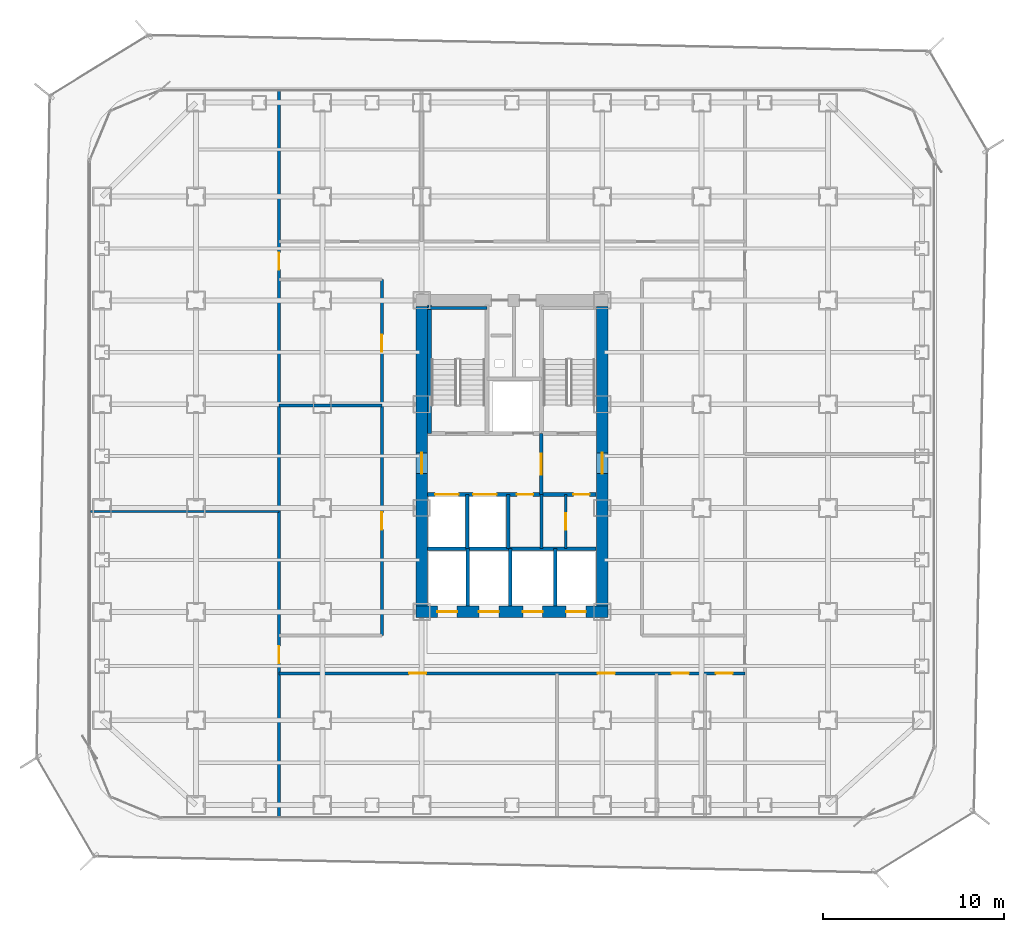
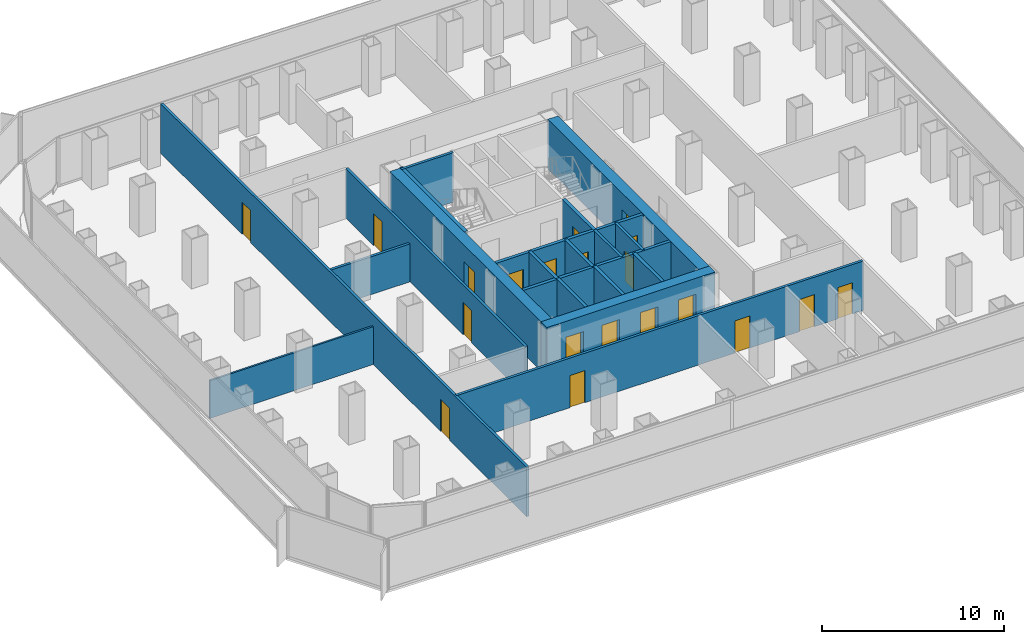
# One storey, part 17 of 21: 20 doors, 20 walls, 20 openings.
"""IFC4 building model written with IfcOpenShell, lengths in metres."""

from ifc_helpers import new_model, si_unit, direction, frame, frame_2d, origin, place, context, subcontext, project, spatial, rectangle, extrude, material, layer, layer_set, type_object, element, fill, save


model = new_model("IFC4")

# Units and contexts
model_context = context("Model", 3, precision=1e-05, world=origin(), true_north=direction((0.0, 1.0)))
body_context = subcontext(model_context, "Body", "Model", "MODEL_VIEW")
ifc_project = project(units=[si_unit("LENGTHUNIT", "METRE"), si_unit("AREAUNIT", "SQUARE_METRE"), si_unit("VOLUMEUNIT", "CUBIC_METRE"), si_unit("PLANEANGLEUNIT", "RADIAN"), si_unit("MASSUNIT", "GRAM", prefix="KILO")], contexts=[model_context])

# Site, building, storey
site_placement = place(None, origin())
site = spatial("IfcSite", under=ifc_project, at=site_placement, CompositionType="ELEMENT")
building_placement = place(site_placement, origin())
building = spatial("IfcBuilding", under=site, at=building_placement, Name="Kolveth Station Tower", CompositionType="ELEMENT")
storey_placement = place(building_placement, frame((0.0, 0.0, 44.10009765625)))
storey = spatial("IfcBuildingStorey", under=building, at=storey_placement, Name="L11", CompositionType="ELEMENT", Elevation=44.10009765625)

# Wall, openings, doors
ifc_material_1 = material(Name="Concrete C60/75", Category="concrete")
ifc_layer_1 = layer(ifc_material_1, 0.64990234375)
ifc_layer_set_1 = layer_set([ifc_layer_1], Name="Concrete C60/75")
wall_type_1 = type_object("IfcWallType", Name="Wall_CW-650", PredefinedType="SHEAR", material=ifc_layer_set_1)
wall_1_placement = place(storey_placement, frame((18.175048828125, 11.5, 0.0), z_axis=(0.0, 0.0, 1.0), x_axis=(1.0, 0.0, 0.0)))
wall_1 = element("IfcWall", 1, at=wall_1_placement, inside=storey, type_object=wall_type_1, Name="L11 Core RC Shear Wall S", PredefinedType="SHEAR", context=body_context, shape_type="SweptSolid", body=[
    extrude(rectangle(XDim=10.64990234375, YDim=0.64990234375, at=frame_2d((5.324951171875, 0.0))), origin(), (0.0, 0.0, 1.0), 3.31982421875),
])
opening_1_placement = place(wall_1_placement, frame((1.195068359375, 0.0, 0.0)))
opening_1 = element("IfcOpeningElement", 2, at=opening_1_placement, cuts=wall_1, Name="Opening LD1", PredefinedType="OPENING", context=body_context, shape_type="SweptSolid", body=[
    extrude(rectangle(XDim=1.10009765625, YDim=2.25, at=frame_2d((0.550048828125, 1.125))), frame((0.0, 0.3349609375, 0.0), z_axis=(0.0, -1.0, 0.0), x_axis=(1.0, 0.0, 0.0)), (0.0, 0.0, 1.0), 0.669921875),
])
opening_2_placement = place(wall_1_placement, frame((3.4951171875, 0.0, 0.0)))
opening_2 = element("IfcOpeningElement", 3, at=opening_2_placement, cuts=wall_1, Name="Opening LD1", PredefinedType="OPENING", context=body_context, shape_type="SweptSolid", body=[
    extrude(rectangle(XDim=1.10009765625, YDim=2.25, at=frame_2d((0.550048828125, 1.125))), frame((0.0, 0.3349609375, 0.0), z_axis=(0.0, -1.0, 0.0), x_axis=(1.0, 0.0, 0.0)), (0.0, 0.0, 1.0), 0.669921875),
])
opening_3_placement = place(wall_1_placement, frame((5.925048828125, 0.0, 0.0)))
opening_3 = element("IfcOpeningElement", 4, at=opening_3_placement, cuts=wall_1, Name="Opening LD1", PredefinedType="OPENING", context=body_context, shape_type="SweptSolid", body=[
    extrude(rectangle(XDim=1.10009765625, YDim=2.25, at=frame_2d((0.550048828125, 1.125))), frame((0.0, 0.3349609375, 0.0), z_axis=(0.0, -1.0, 0.0), x_axis=(1.0, 0.0, 0.0)), (0.0, 0.0, 1.0), 0.669921875),
])
opening_4_placement = place(wall_1_placement, frame((8.324951171875, 0.0, 0.0)))
opening_4 = element("IfcOpeningElement", 5, at=opening_4_placement, cuts=wall_1, Name="Opening LD1", PredefinedType="OPENING", context=body_context, shape_type="SweptSolid", body=[
    extrude(rectangle(XDim=1.10009765625, YDim=2.25, at=frame_2d((0.550048828125, 1.125))), frame((0.0, 0.3349609375, 0.0), z_axis=(0.0, -1.0, 0.0), x_axis=(1.0, 0.0, 0.0)), (0.0, 0.0, 1.0), 0.669921875),
])
ifc_material_2 = material(Name="Brushed stainless steel sliding landing doors", Category="steel")
door_type_1 = type_object("IfcDoorType", Name="Door_LD1", OperationType="NOTDEFINED", PredefinedType="DOOR", material=ifc_material_2)
door_1_placement = place(opening_1_placement, frame((1.10009765625, 0.0, 0.0), z_axis=(0.0, 0.0, 1.0), x_axis=(-1.0, 0.0, 0.0)))
door_1 = element("IfcDoor", 6, at=door_1_placement, inside=storey, type_object=door_type_1, Name="L11 Lift PL1 Landing Door", OperationType="DOUBLE_DOOR_SLIDING", OverallHeight=2.25, OverallWidth=1.10009765625, PredefinedType="DOOR", context=body_context, shape_type="SweptSolid", body=[
    extrude(rectangle(XDim=1.10009765625, YDim=2.25, at=frame_2d((0.550048828125, 1.125))), frame((0.0, 0.02490234375, 0.0), z_axis=(0.0, -1.0, 0.0), x_axis=(1.0, 0.0, 0.0)), (0.0, 0.0, 1.0), 0.050048828125),
])
fill(opening_1, door_1)
door_2_placement = place(opening_2_placement, frame((1.10009765625, 0.0, 0.0), z_axis=(0.0, 0.0, 1.0), x_axis=(-1.0, 0.0, 0.0)))
door_2 = element("IfcDoor", 7, at=door_2_placement, inside=storey, type_object=door_type_1, Name="L11 Lift PL2 Landing Door", OperationType="DOUBLE_DOOR_SLIDING", OverallHeight=2.25, OverallWidth=1.10009765625, PredefinedType="DOOR", context=body_context, shape_type="SweptSolid", body=[
    extrude(rectangle(XDim=1.10009765625, YDim=2.25, at=frame_2d((0.550048828125, 1.125))), frame((0.0, 0.02490234375, 0.0), z_axis=(0.0, -1.0, 0.0), x_axis=(1.0, 0.0, 0.0)), (0.0, 0.0, 1.0), 0.050048828125),
])
fill(opening_2, door_2)
door_3_placement = place(opening_3_placement, frame((1.10009765625, 0.0, 0.0), z_axis=(0.0, 0.0, 1.0), x_axis=(-1.0, 0.0, 0.0)))
door_3 = element("IfcDoor", 8, at=door_3_placement, inside=storey, type_object=door_type_1, Name="L11 Lift PM1 Landing Door", OperationType="DOUBLE_DOOR_SLIDING", OverallHeight=2.25, OverallWidth=1.10009765625, PredefinedType="DOOR", context=body_context, shape_type="SweptSolid", body=[
    extrude(rectangle(XDim=1.10009765625, YDim=2.25, at=frame_2d((0.550048828125, 1.125))), frame((0.0, 0.02490234375, 0.0), z_axis=(0.0, -1.0, 0.0), x_axis=(1.0, 0.0, 0.0)), (0.0, 0.0, 1.0), 0.050048828125),
])
fill(opening_3, door_3)
door_4_placement = place(opening_4_placement, frame((1.10009765625, 0.0, 0.0), z_axis=(0.0, 0.0, 1.0), x_axis=(-1.0, 0.0, 0.0)))
door_4 = element("IfcDoor", 9, at=door_4_placement, inside=storey, type_object=door_type_1, Name="L11 Lift PH1 Landing Door", OperationType="DOUBLE_DOOR_SLIDING", OverallHeight=2.25, OverallWidth=1.10009765625, PredefinedType="DOOR", context=body_context, shape_type="SweptSolid", body=[
    extrude(rectangle(XDim=1.10009765625, YDim=2.25, at=frame_2d((0.550048828125, 1.125))), frame((0.0, 0.02490234375, 0.0), z_axis=(0.0, -1.0, 0.0), x_axis=(1.0, 0.0, 0.0)), (0.0, 0.0, 1.0), 0.050048828125),
])
fill(opening_4, door_4)

# Wall, opening, door
wall_2_placement = place(storey_placement, frame((18.5, 11.824951171875, 0.0), z_axis=(0.0, 0.0, 1.0), x_axis=(0.0, 1.0, 0.0)))
wall_2 = element("IfcWall", 10, at=wall_2_placement, inside=storey, type_object=wall_type_1, Name="L11 Core RC Shear Wall W", PredefinedType="SHEAR", context=body_context, shape_type="SweptSolid", body=[
    extrude(rectangle(XDim=16.60009765625, YDim=0.64990234375, at=frame_2d((8.300048828125, 0.0))), origin(), (0.0, 0.0, 1.0), 3.31982421875),
])
opening_5_placement = place(wall_2_placement, frame((7.324951171875, 0.0, 0.0)))
opening_5 = element("IfcOpeningElement", 11, at=opening_5_placement, cuts=wall_2, Name="Opening FD1", PredefinedType="OPENING", context=body_context, shape_type="SweptSolid", body=[
    extrude(rectangle(XDim=1.14990234375, YDim=2.199951171875, at=frame_2d((0.574951171875, 1.10009765625))), frame((0.0, 0.3349609375, 0.0), z_axis=(0.0, -1.0, 0.0), x_axis=(1.0, 0.0, 0.0)), (0.0, 0.0, 1.0), 0.669921875),
])
ifc_material_3 = material(Name="Fire-rated Steel S355 leaf and frame", Category="steel")
door_type_2 = type_object("IfcDoorType", Name="Door_FD1", OperationType="NOTDEFINED", PredefinedType="DOOR", material=ifc_material_3)
door_5_placement = place(opening_5_placement, frame((1.14990234375, 0.0, 0.0), z_axis=(0.0, 0.0, 1.0), x_axis=(-1.0, 0.0, 0.0)))
door_5 = element("IfcDoor", 12, at=door_5_placement, inside=storey, type_object=door_type_2, Name="L11 West Corridor to Firefighting Lobby Door", OperationType="SINGLE_SWING_LEFT", OverallHeight=2.199951171875, OverallWidth=1.14990234375, PredefinedType="DOOR", context=body_context, shape_type="SweptSolid", body=[
    extrude(rectangle(XDim=1.14990234375, YDim=2.199951171875, at=frame_2d((0.574951171875, 1.10009765625))), frame((0.0, 0.02490234375, 0.0), z_axis=(0.0, -1.0, 0.0), x_axis=(1.0, 0.0, 0.0)), (0.0, 0.0, 1.0), 0.050048828125),
])
fill(opening_5, door_5)

wall_3_placement = place(storey_placement, frame((28.5, 11.824951171875, 0.0), z_axis=(0.0, 0.0, 1.0), x_axis=(0.0, 1.0, 0.0)))
wall_3 = element("IfcWall", 13, at=wall_3_placement, inside=storey, type_object=wall_type_1, Name="L11 Core RC Shear Wall E", PredefinedType="SHEAR", context=body_context, shape_type="SweptSolid", body=[
    extrude(rectangle(XDim=16.60009765625, YDim=0.64990234375, at=frame_2d((8.300048828125, 0.0))), origin(), (0.0, 0.0, 1.0), 3.31982421875),
])
opening_6_placement = place(wall_3_placement, frame((7.324951171875, 0.0, 0.0)))
opening_6 = element("IfcOpeningElement", 14, at=opening_6_placement, cuts=wall_3, Name="Opening FD1", PredefinedType="OPENING", context=body_context, shape_type="SweptSolid", body=[
    extrude(rectangle(XDim=1.14990234375, YDim=2.199951171875, at=frame_2d((0.574951171875, 1.10009765625))), frame((0.0, 0.3349609375, 0.0), z_axis=(0.0, -1.0, 0.0), x_axis=(1.0, 0.0, 0.0)), (0.0, 0.0, 1.0), 0.669921875),
])
door_6_placement = place(opening_6_placement, origin())
door_6 = element("IfcDoor", 15, at=door_6_placement, inside=storey, type_object=door_type_2, Name="L11 East Corridor to Stair Lobby Door", OperationType="SINGLE_SWING_RIGHT", OverallHeight=2.199951171875, OverallWidth=1.14990234375, PredefinedType="DOOR", context=body_context, shape_type="SweptSolid", body=[
    extrude(rectangle(XDim=1.14990234375, YDim=2.199951171875, at=frame_2d((0.574951171875, 1.10009765625))), frame((0.0, 0.02490234375, 0.0), z_axis=(0.0, -1.0, 0.0), x_axis=(1.0, 0.0, 0.0)), (0.0, 0.0, 1.0), 0.050048828125),
])
fill(opening_6, door_6)

# Walls
ifc_material_4 = material(Name="Framed gypsum partition")
ifc_layer_2 = layer(ifc_material_4, 0.114990234375)
ifc_layer_set_2 = layer_set([ifc_layer_2], Name="Framed gypsum partition")
wall_type_2 = type_object("IfcWallType", Name="Wall_IW-115", PredefinedType="PARTITIONING", material=ifc_layer_set_2)
wall_4_placement = place(storey_placement, frame((0.159912109375, 17.050048828125, 0.0), z_axis=(0.0, 0.0, 1.0), x_axis=(1.0, 0.0, 0.0)))
element("IfcWall", 16, at=wall_4_placement, inside=storey, type_object=wall_type_2, Name="L11 Partition Wall WL-L11-OWM", PredefinedType="PARTITIONING", context=body_context, shape_type="SweptSolid", body=[
    extrude(rectangle(XDim=10.440185546875, YDim=0.114990234375, at=frame_2d((5.22021484375, 0.0))), origin(), (0.0, 0.0, 1.0), 2.538818359375),
])
ifc_material_5 = material(Name="Acoustic double-stud gypsum partition")
ifc_layer_3 = layer(ifc_material_5, 0.1650390625)
ifc_layer_set_3 = layer_set([ifc_layer_3], Name="Acoustic double-stud gypsum partition")
wall_type_3 = type_object("IfcWallType", Name="Wall_IW-165", PredefinedType="PARTITIONING", material=ifc_layer_set_3)
wall_5_placement = place(storey_placement, frame((18.8349609375, 28.3349609375, 0.0), z_axis=(0.0, 0.0, 1.0), x_axis=(1.0, 0.0, 0.0)))
element("IfcWall", 17, at=wall_5_placement, inside=storey, type_object=wall_type_3, Name="L11 Stair Shaft Wall WL-L11-ST1-N", PredefinedType="PARTITIONING", context=body_context, shape_type="SweptSolid", body=[
    extrude(rectangle(XDim=3.275146484375, YDim=0.1650390625, at=frame_2d((1.6376953125, 0.0))), origin(), (0.0, 0.0, 1.0), 3.31982421875),
])
wall_6_placement = place(storey_placement, frame((25.1298828125, 15.0, 0.0), z_axis=(0.0, 0.0, 1.0), x_axis=(0.0, 1.0, 0.0)))
element("IfcWall", 18, at=wall_6_placement, inside=storey, type_object=wall_type_3, Name="L11 Partition Wall WL-L11-CB-V3A", PredefinedType="PARTITIONING", context=body_context, shape_type="SweptSolid", body=[
    extrude(rectangle(XDim=3.0, YDim=0.1650390625, at=frame_2d((1.5, 0.0))), origin(), (0.0, 0.0, 1.0), 3.31982421875),
])

# Wall, opening, door
wall_7_placement = place(storey_placement, frame((26.47998046875, 15.0, 0.0), z_axis=(0.0, 0.0, 1.0), x_axis=(0.0, 1.0, 0.0)))
wall_7 = element("IfcWall", 19, at=wall_7_placement, inside=storey, type_object=wall_type_3, Name="L11 Partition Wall WL-L11-CB-V3B", PredefinedType="PARTITIONING", context=body_context, shape_type="SweptSolid", body=[
    extrude(rectangle(XDim=3.0, YDim=0.1650390625, at=frame_2d((1.5, 0.0))), origin(), (0.0, 0.0, 1.0), 3.31982421875),
])
opening_7_placement = place(wall_7_placement, frame((1.050048828125, 0.0, 0.0)))
opening_7 = element("IfcOpeningElement", 20, at=opening_7_placement, cuts=wall_7, Name="Opening RD1", PredefinedType="OPENING", context=body_context, shape_type="SweptSolid", body=[
    extrude(rectangle(XDim=0.89990234375, YDim=2.050048828125, at=frame_2d((0.449951171875, 1.02490234375))), frame((0.0, 0.092529296875, 0.0), z_axis=(0.0, -1.0, 0.0), x_axis=(1.0, 0.0, 0.0)), (0.0, 0.0, 1.0), 0.18505859375),
])
ifc_material_6 = material(Name="Fire-rated Steel S355 riser access leaf", Category="steel")
door_type_3 = type_object("IfcDoorType", Name="Door_RD1", OperationType="NOTDEFINED", PredefinedType="DOOR", material=ifc_material_6)
door_7_placement = place(opening_7_placement, origin())
door_7 = element("IfcDoor", 21, at=door_7_placement, inside=storey, type_object=door_type_3, Name="L11 Core Meter Closet Door", OperationType="SINGLE_SWING_LEFT", OverallHeight=2.050048828125, OverallWidth=0.89990234375, PredefinedType="DOOR", context=body_context, shape_type="SweptSolid", body=[
    extrude(rectangle(XDim=0.89990234375, YDim=2.050048828125, at=frame_2d((0.449951171875, 1.02490234375))), frame((0.0, 0.02490234375, 0.0), z_axis=(0.0, -1.0, 0.0), x_axis=(1.0, 0.0, 0.0)), (0.0, 0.0, 1.0), 0.050048828125),
])
fill(opening_7, door_7)

# Wall, openings, doors
wall_8_placement = place(storey_placement, frame((10.60009765625, 8.10009765625, 0.0), z_axis=(0.0, 0.0, 1.0), x_axis=(1.0, 0.0, 0.0)))
wall_8 = element("IfcWall", 22, at=wall_8_placement, inside=storey, type_object=wall_type_3, Name="L11 Partition Wall WL-L11-OS", PredefinedType="PARTITIONING", context=body_context, shape_type="SweptSolid", body=[
    extrude(rectangle(XDim=25.7998046875, YDim=0.1650390625, at=frame_2d((12.89990234375, 0.0))), origin(), (0.0, 0.0, 1.0), 3.31982421875),
])
opening_8_placement = place(wall_8_placement, frame((7.199951171875, 0.0, 0.0)))
opening_8 = element("IfcOpeningElement", 23, at=opening_8_placement, cuts=wall_8, Name="Opening ID1", PredefinedType="OPENING", context=body_context, shape_type="SweptSolid", body=[
    extrude(rectangle(XDim=0.949951171875, YDim=2.14990234375, at=frame_2d((0.47509765625, 1.074951171875))), frame((0.0, 0.092529296875, 0.0), z_axis=(0.0, -1.0, 0.0), x_axis=(1.0, 0.0, 0.0)), (0.0, 0.0, 1.0), 0.18505859375),
])
opening_9_placement = place(wall_8_placement, frame((17.64990234375, 0.0, 0.0)))
opening_9 = element("IfcOpeningElement", 24, at=opening_9_placement, cuts=wall_8, Name="Opening ID1", PredefinedType="OPENING", context=body_context, shape_type="SweptSolid", body=[
    extrude(rectangle(XDim=0.949951171875, YDim=2.14990234375, at=frame_2d((0.47509765625, 1.074951171875))), frame((0.0, 0.092529296875, 0.0), z_axis=(0.0, -1.0, 0.0), x_axis=(1.0, 0.0, 0.0)), (0.0, 0.0, 1.0), 0.18505859375),
])
opening_10_placement = place(wall_8_placement, frame((21.75, 0.0, 0.0)))
opening_10 = element("IfcOpeningElement", 25, at=opening_10_placement, cuts=wall_8, Name="Opening ID1", PredefinedType="OPENING", context=body_context, shape_type="SweptSolid", body=[
    extrude(rectangle(XDim=0.949951171875, YDim=2.14990234375, at=frame_2d((0.47509765625, 1.074951171875))), frame((0.0, 0.092529296875, 0.0), z_axis=(0.0, -1.0, 0.0), x_axis=(1.0, 0.0, 0.0)), (0.0, 0.0, 1.0), 0.18505859375),
])
opening_11_placement = place(wall_8_placement, frame((24.199951171875, 0.0, 0.0)))
opening_11 = element("IfcOpeningElement", 26, at=opening_11_placement, cuts=wall_8, Name="Opening ID2", PredefinedType="OPENING", context=body_context, shape_type="SweptSolid", body=[
    extrude(rectangle(XDim=0.919921875, YDim=2.10009765625, at=frame_2d((0.4599609375, 1.050048828125))), frame((0.0, 0.092529296875, 0.0), z_axis=(0.0, -1.0, 0.0), x_axis=(1.0, 0.0, 0.0)), (0.0, 0.0, 1.0), 0.18505859375),
])
ifc_material_7 = material(Name="Acoustic hardwood leaf and aluminium frame", Category="wood")
door_type_4 = type_object("IfcDoorType", Name="Door_ID1", OperationType="NOTDEFINED", PredefinedType="DOOR", material=ifc_material_7)
door_8_placement = place(opening_8_placement, frame((0.949951171875, 0.0, 0.0), z_axis=(0.0, 0.0, 1.0), x_axis=(-1.0, 0.0, 0.0)))
door_8 = element("IfcDoor", 27, at=door_8_placement, inside=storey, type_object=door_type_4, Name="L11 Design Studio Open Office Door", OperationType="SINGLE_SWING_LEFT", OverallHeight=2.14990234375, OverallWidth=0.949951171875, PredefinedType="DOOR", context=body_context, shape_type="SweptSolid", body=[
    extrude(rectangle(XDim=0.949951171875, YDim=2.14990234375, at=frame_2d((0.47509765625, 1.074951171875))), frame((0.0, 0.02490234375, 0.0), z_axis=(0.0, -1.0, 0.0), x_axis=(1.0, 0.0, 0.0)), (0.0, 0.0, 1.0), 0.050048828125),
])
fill(opening_8, door_8)
door_9_placement = place(opening_9_placement, frame((0.949951171875, 0.0, 0.0), z_axis=(0.0, 0.0, 1.0), x_axis=(-1.0, 0.0, 0.0)))
door_9 = element("IfcDoor", 28, at=door_9_placement, inside=storey, type_object=door_type_4, Name="L11 Quiet Study 1 Door", OperationType="SINGLE_SWING_LEFT", OverallHeight=2.14990234375, OverallWidth=0.949951171875, PredefinedType="DOOR", context=body_context, shape_type="SweptSolid", body=[
    extrude(rectangle(XDim=0.949951171875, YDim=2.14990234375, at=frame_2d((0.47509765625, 1.074951171875))), frame((0.0, 0.02490234375, 0.0), z_axis=(0.0, -1.0, 0.0), x_axis=(1.0, 0.0, 0.0)), (0.0, 0.0, 1.0), 0.050048828125),
])
fill(opening_9, door_9)
door_10_placement = place(opening_10_placement, frame((0.949951171875, 0.0, 0.0), z_axis=(0.0, 0.0, 1.0), x_axis=(-1.0, 0.0, 0.0)))
door_10 = element("IfcDoor", 29, at=door_10_placement, inside=storey, type_object=door_type_4, Name="L11 Office Pantry Door", OperationType="SINGLE_SWING_LEFT", OverallHeight=2.14990234375, OverallWidth=0.949951171875, PredefinedType="DOOR", context=body_context, shape_type="SweptSolid", body=[
    extrude(rectangle(XDim=0.949951171875, YDim=2.14990234375, at=frame_2d((0.47509765625, 1.074951171875))), frame((0.0, 0.02490234375, 0.0), z_axis=(0.0, -1.0, 0.0), x_axis=(1.0, 0.0, 0.0)), (0.0, 0.0, 1.0), 0.050048828125),
])
fill(opening_10, door_10)
ifc_material_8 = material(Name="Moisture-resistant hardwood leaf", Category="wood")
door_type_5 = type_object("IfcDoorType", Name="Door_ID2", OperationType="NOTDEFINED", PredefinedType="DOOR", material=ifc_material_8)
door_11_placement = place(opening_11_placement, frame((0.919921875, 0.0, 0.0), z_axis=(0.0, 0.0, 1.0), x_axis=(-1.0, 0.0, 0.0)))
door_11 = element("IfcDoor", 30, at=door_11_placement, inside=storey, type_object=door_type_5, Name="L11 Accessible WC Door", OperationType="SINGLE_SWING_RIGHT", OverallHeight=2.10009765625, OverallWidth=0.919921875, PredefinedType="DOOR", context=body_context, shape_type="SweptSolid", body=[
    extrude(rectangle(XDim=0.919921875, YDim=2.10009765625, at=frame_2d((0.4599609375, 1.050048828125))), frame((0.0, 0.02490234375, 0.0), z_axis=(0.0, -1.0, 0.0), x_axis=(1.0, 0.0, 0.0)), (0.0, 0.0, 1.0), 0.050048828125),
])
fill(opening_11, door_11)

wall_9_placement = place(storey_placement, frame((16.300048828125, 10.199951171875, 0.0), z_axis=(0.0, 0.0, 1.0), x_axis=(0.0, 1.0, 0.0)))
wall_9 = element("IfcWall", 31, at=wall_9_placement, inside=storey, type_object=wall_type_3, Name="L11 Partition Wall WL-L11-OCW", PredefinedType="PARTITIONING", context=body_context, shape_type="SweptSolid", body=[
    extrude(rectangle(XDim=19.699951171875, YDim=0.1650390625, at=frame_2d((9.85009765625, 0.0))), origin(), (0.0, 0.0, 1.0), 3.31982421875),
])
opening_12_placement = place(wall_9_placement, frame((5.85888671875, 0.0, 0.0)))
opening_12 = element("IfcOpeningElement", 32, at=opening_12_placement, cuts=wall_9, Name="Opening ID1", PredefinedType="OPENING", context=body_context, shape_type="SweptSolid", body=[
    extrude(rectangle(XDim=0.949951171875, YDim=2.14990234375, at=frame_2d((0.47509765625, 1.074951171875))), frame((0.0, 0.092529296875, 0.0), z_axis=(0.0, -1.0, 0.0), x_axis=(1.0, 0.0, 0.0)), (0.0, 0.0, 1.0), 0.18505859375),
])
opening_13_placement = place(wall_9_placement, frame((15.708984375, 0.0, 0.0)))
opening_13 = element("IfcOpeningElement", 33, at=opening_13_placement, cuts=wall_9, Name="Opening ID1", PredefinedType="OPENING", context=body_context, shape_type="SweptSolid", body=[
    extrude(rectangle(XDim=0.949951171875, YDim=2.14990234375, at=frame_2d((0.47509765625, 1.074951171875))), frame((0.0, 0.092529296875, 0.0), z_axis=(0.0, -1.0, 0.0), x_axis=(1.0, 0.0, 0.0)), (0.0, 0.0, 1.0), 0.18505859375),
])
door_12_placement = place(opening_12_placement, frame((0.949951171875, 0.0, 0.0), z_axis=(0.0, 0.0, 1.0), x_axis=(-1.0, 0.0, 0.0)))
door_12 = element("IfcDoor", 34, at=door_12_placement, inside=storey, type_object=door_type_4, Name="L11 Internal Meeting Room W1 Door", OperationType="SINGLE_SWING_LEFT", OverallHeight=2.14990234375, OverallWidth=0.949951171875, PredefinedType="DOOR", context=body_context, shape_type="SweptSolid", body=[
    extrude(rectangle(XDim=0.949951171875, YDim=2.14990234375, at=frame_2d((0.47509765625, 1.074951171875))), frame((0.0, 0.02490234375, 0.0), z_axis=(0.0, -1.0, 0.0), x_axis=(1.0, 0.0, 0.0)), (0.0, 0.0, 1.0), 0.050048828125),
])
fill(opening_12, door_12)
door_13_placement = place(opening_13_placement, frame((0.949951171875, 0.0, 0.0), z_axis=(0.0, 0.0, 1.0), x_axis=(-1.0, 0.0, 0.0)))
door_13 = element("IfcDoor", 35, at=door_13_placement, inside=storey, type_object=door_type_4, Name="L11 Print and Archive Room Door", OperationType="SINGLE_SWING_LEFT", OverallHeight=2.14990234375, OverallWidth=0.949951171875, PredefinedType="DOOR", context=body_context, shape_type="SweptSolid", body=[
    extrude(rectangle(XDim=0.949951171875, YDim=2.14990234375, at=frame_2d((0.47509765625, 1.074951171875))), frame((0.0, 0.02490234375, 0.0), z_axis=(0.0, -1.0, 0.0), x_axis=(1.0, 0.0, 0.0)), (0.0, 0.0, 1.0), 0.050048828125),
])
fill(opening_13, door_13)

wall_10_placement = place(storey_placement, frame((10.60009765625, 0.159912109375, 0.0), z_axis=(0.0, 0.0, 1.0), x_axis=(0.0, 1.0, 0.0)))
wall_10 = element("IfcWall", 36, at=wall_10_placement, inside=storey, type_object=wall_type_3, Name="L11 Partition Wall WL-L11-OWEND", PredefinedType="PARTITIONING", context=body_context, shape_type="SweptSolid", body=[
    extrude(rectangle(XDim=40.18017578125, YDim=0.1650390625, at=frame_2d((20.090087890625, 0.0))), origin(), (0.0, 0.0, 1.0), 3.31982421875),
])
opening_14_placement = place(wall_10_placement, frame((8.489990234375, 0.0, 0.0)))
opening_14 = element("IfcOpeningElement", 37, at=opening_14_placement, cuts=wall_10, Name="Opening ID1", PredefinedType="OPENING", context=body_context, shape_type="SweptSolid", body=[
    extrude(rectangle(XDim=0.949951171875, YDim=2.14990234375, at=frame_2d((0.47509765625, 1.074951171875))), frame((0.0, 0.092529296875, 0.0), z_axis=(0.0, -1.0, 0.0), x_axis=(1.0, 0.0, 0.0)), (0.0, 0.0, 1.0), 0.18505859375),
])
opening_15_placement = place(wall_10_placement, frame((30.2900390625, 0.0, 0.0)))
opening_15 = element("IfcOpeningElement", 38, at=opening_15_placement, cuts=wall_10, Name="Opening ID1", PredefinedType="OPENING", context=body_context, shape_type="SweptSolid", body=[
    extrude(rectangle(XDim=0.949951171875, YDim=2.14990234375, at=frame_2d((0.47509765625, 1.074951171875))), frame((0.0, 0.092529296875, 0.0), z_axis=(0.0, -1.0, 0.0), x_axis=(1.0, 0.0, 0.0)), (0.0, 0.0, 1.0), 0.18505859375),
])
door_14_placement = place(opening_14_placement, frame((0.949951171875, 0.0, 0.0), z_axis=(0.0, 0.0, 1.0), x_axis=(-1.0, 0.0, 0.0)))
door_14 = element("IfcDoor", 39, at=door_14_placement, inside=storey, type_object=door_type_4, Name="L11 West-South Wing Door", OperationType="SINGLE_SWING_RIGHT", OverallHeight=2.14990234375, OverallWidth=0.949951171875, PredefinedType="DOOR", context=body_context, shape_type="SweptSolid", body=[
    extrude(rectangle(XDim=0.949951171875, YDim=2.14990234375, at=frame_2d((0.47509765625, 1.074951171875))), frame((0.0, 0.02490234375, 0.0), z_axis=(0.0, -1.0, 0.0), x_axis=(1.0, 0.0, 0.0)), (0.0, 0.0, 1.0), 0.050048828125),
])
fill(opening_14, door_14)
door_15_placement = place(opening_15_placement, frame((0.949951171875, 0.0, 0.0), z_axis=(0.0, 0.0, 1.0), x_axis=(-1.0, 0.0, 0.0)))
door_15 = element("IfcDoor", 40, at=door_15_placement, inside=storey, type_object=door_type_4, Name="L11 West-North Wing Door", OperationType="SINGLE_SWING_LEFT", OverallHeight=2.14990234375, OverallWidth=0.949951171875, PredefinedType="DOOR", context=body_context, shape_type="SweptSolid", body=[
    extrude(rectangle(XDim=0.949951171875, YDim=2.14990234375, at=frame_2d((0.47509765625, 1.074951171875))), frame((0.0, 0.02490234375, 0.0), z_axis=(0.0, -1.0, 0.0), x_axis=(1.0, 0.0, 0.0)), (0.0, 0.0, 1.0), 0.050048828125),
])
fill(opening_15, door_15)

# Wall
wall_11_placement = place(storey_placement, frame((10.60009765625, 22.91796875, 0.0), z_axis=(0.0, 0.0, 1.0), x_axis=(1.0, 0.0, 0.0)))
element("IfcWall", 41, at=wall_11_placement, inside=storey, type_object=wall_type_3, Name="L11 Partition Wall WL-L11-OIW-P1", PredefinedType="PARTITIONING", context=body_context, shape_type="SweptSolid", body=[
    extrude(rectangle(XDim=5.699951171875, YDim=0.1650390625, at=frame_2d((2.85009765625, 0.0))), origin(), (0.0, 0.0, 1.0), 2.538818359375),
])

# Wall, opening, door
ifc_material_9 = material(Name="Acoustic fire-rated gypsum blockwork", Category="masonry")
ifc_layer_4 = layer(ifc_material_9, 0.199951171875)
ifc_layer_set_4 = layer_set([ifc_layer_4], Name="Acoustic fire-rated gypsum blockwork")
wall_type_4 = type_object("IfcWallType", Name="Wall_IW-200", PredefinedType="PARTITIONING", material=ifc_layer_set_4)
wall_12_placement = place(storey_placement, frame((25.1298828125, 18.0, 0.0), z_axis=(0.0, 0.0, 1.0), x_axis=(0.0, 1.0, 0.0)))
wall_12 = element("IfcWall", 42, at=wall_12_placement, inside=storey, type_object=wall_type_4, Name="L11 Partition Wall WL-L11-FFL-E", PredefinedType="PARTITIONING", context=body_context, shape_type="SweptSolid", body=[
    extrude(rectangle(XDim=3.389892578125, YDim=0.199951171875, at=frame_2d((1.69482421875, 0.0))), origin(), (0.0, 0.0, 1.0), 3.31982421875),
])
opening_16_placement = place(wall_12_placement, frame((1.10009765625, 0.0, 0.0)))
opening_16 = element("IfcOpeningElement", 43, at=opening_16_placement, cuts=wall_12, Name="Opening FD1", PredefinedType="OPENING", context=body_context, shape_type="SweptSolid", body=[
    extrude(rectangle(XDim=1.14990234375, YDim=2.199951171875, at=frame_2d((0.574951171875, 1.10009765625))), frame((0.0, 0.10986328125, 0.0), z_axis=(0.0, -1.0, 0.0), x_axis=(1.0, 0.0, 0.0)), (0.0, 0.0, 1.0), 0.219970703125),
])
door_16_placement = place(opening_16_placement, origin())
door_16 = element("IfcDoor", 44, at=door_16_placement, inside=storey, type_object=door_type_2, Name="L11 Firefighting to Stair Lobby Door", OperationType="SINGLE_SWING_LEFT", OverallHeight=2.199951171875, OverallWidth=1.14990234375, PredefinedType="DOOR", context=body_context, shape_type="SweptSolid", body=[
    extrude(rectangle(XDim=1.14990234375, YDim=2.199951171875, at=frame_2d((0.574951171875, 1.10009765625))), frame((0.0, 0.02490234375, 0.0), z_axis=(0.0, -1.0, 0.0), x_axis=(1.0, 0.0, 0.0)), (0.0, 0.0, 1.0), 0.050048828125),
])
fill(opening_16, door_16)

# Wall, openings, doors
wall_13_placement = place(storey_placement, frame((18.8349609375, 18.0, 0.0), z_axis=(0.0, 0.0, 1.0), x_axis=(1.0, 0.0, 0.0)))
wall_13 = element("IfcWall", 45, at=wall_13_placement, inside=storey, type_object=wall_type_4, Name="L11 Partition Wall WL-L11-FFL-S", PredefinedType="PARTITIONING", context=body_context, shape_type="SweptSolid", body=[
    extrude(rectangle(XDim=9.330078125, YDim=0.199951171875, at=frame_2d((4.6650390625, 0.0))), origin(), (0.0, 0.0, 1.0), 3.31982421875),
])
opening_17_placement = place(wall_13_placement, frame((0.4150390625, 0.0, 0.0)))
opening_17 = element("IfcOpeningElement", 46, at=opening_17_placement, cuts=wall_13, Name="Opening LD2", PredefinedType="OPENING", context=body_context, shape_type="SweptSolid", body=[
    extrude(rectangle(XDim=1.300048828125, YDim=2.300048828125, at=frame_2d((0.64990234375, 1.14990234375))), frame((0.0, 0.10986328125, 0.0), z_axis=(0.0, -1.0, 0.0), x_axis=(1.0, 0.0, 0.0)), (0.0, 0.0, 1.0), 0.219970703125),
])
opening_18_placement = place(wall_13_placement, frame((2.514892578125, 0.0, 0.0)))
opening_18 = element("IfcOpeningElement", 47, at=opening_18_placement, cuts=wall_13, Name="Opening LD2", PredefinedType="OPENING", context=body_context, shape_type="SweptSolid", body=[
    extrude(rectangle(XDim=1.300048828125, YDim=2.300048828125, at=frame_2d((0.64990234375, 1.14990234375))), frame((0.0, 0.10986328125, 0.0), z_axis=(0.0, -1.0, 0.0), x_axis=(1.0, 0.0, 0.0)), (0.0, 0.0, 1.0), 0.219970703125),
])
opening_19_placement = place(wall_13_placement, frame((4.93505859375, 0.0, 0.0)))
opening_19 = element("IfcOpeningElement", 48, at=opening_19_placement, cuts=wall_13, Name="Opening RD1", PredefinedType="OPENING", context=body_context, shape_type="SweptSolid", body=[
    extrude(rectangle(XDim=0.89990234375, YDim=2.050048828125, at=frame_2d((0.449951171875, 1.02490234375))), frame((0.0, 0.10986328125, 0.0), z_axis=(0.0, -1.0, 0.0), x_axis=(1.0, 0.0, 0.0)), (0.0, 0.0, 1.0), 0.219970703125),
])
opening_20_placement = place(wall_13_placement, frame((8.06494140625, 0.0, 0.0)))
opening_20 = element("IfcOpeningElement", 49, at=opening_20_placement, cuts=wall_13, Name="Opening RD1", PredefinedType="OPENING", context=body_context, shape_type="SweptSolid", body=[
    extrude(rectangle(XDim=0.89990234375, YDim=2.050048828125, at=frame_2d((0.449951171875, 1.02490234375))), frame((0.0, 0.10986328125, 0.0), z_axis=(0.0, -1.0, 0.0), x_axis=(1.0, 0.0, 0.0)), (0.0, 0.0, 1.0), 0.219970703125),
])
ifc_material_10 = material(Name="Firefighting stainless steel sliding landing doors", Category="steel")
door_type_6 = type_object("IfcDoorType", Name="Door_LD2", OperationType="NOTDEFINED", PredefinedType="DOOR", material=ifc_material_10)
door_17_placement = place(opening_17_placement, origin())
door_17 = element("IfcDoor", 50, at=door_17_placement, inside=storey, type_object=door_type_6, Name="L11 Firefighting Lift FF1 Landing Door", OperationType="DOUBLE_DOOR_SLIDING", OverallHeight=2.300048828125, OverallWidth=1.300048828125, PredefinedType="DOOR", context=body_context, shape_type="SweptSolid", body=[
    extrude(rectangle(XDim=1.300048828125, YDim=2.300048828125, at=frame_2d((0.64990234375, 1.14990234375))), frame((0.0, 0.02490234375, 0.0), z_axis=(0.0, -1.0, 0.0), x_axis=(1.0, 0.0, 0.0)), (0.0, 0.0, 1.0), 0.050048828125),
])
fill(opening_17, door_17)
door_18_placement = place(opening_18_placement, origin())
door_18 = element("IfcDoor", 51, at=door_18_placement, inside=storey, type_object=door_type_6, Name="L11 Firefighting Lift FF2 Landing Door", OperationType="DOUBLE_DOOR_SLIDING", OverallHeight=2.300048828125, OverallWidth=1.300048828125, PredefinedType="DOOR", context=body_context, shape_type="SweptSolid", body=[
    extrude(rectangle(XDim=1.300048828125, YDim=2.300048828125, at=frame_2d((0.64990234375, 1.14990234375))), frame((0.0, 0.02490234375, 0.0), z_axis=(0.0, -1.0, 0.0), x_axis=(1.0, 0.0, 0.0)), (0.0, 0.0, 1.0), 0.050048828125),
])
fill(opening_18, door_18)
door_19_placement = place(opening_19_placement, frame((0.89990234375, 0.0, 0.0), z_axis=(0.0, 0.0, 1.0), x_axis=(-1.0, 0.0, 0.0)))
door_19 = element("IfcDoor", 52, at=door_19_placement, inside=storey, type_object=door_type_3, Name="L11 Core Staff WC Door", OperationType="SINGLE_SWING_RIGHT", OverallHeight=2.050048828125, OverallWidth=0.89990234375, PredefinedType="DOOR", context=body_context, shape_type="SweptSolid", body=[
    extrude(rectangle(XDim=0.89990234375, YDim=2.050048828125, at=frame_2d((0.449951171875, 1.02490234375))), frame((0.0, 0.02490234375, 0.0), z_axis=(0.0, -1.0, 0.0), x_axis=(1.0, 0.0, 0.0)), (0.0, 0.0, 1.0), 0.050048828125),
])
fill(opening_19, door_19)
door_20_placement = place(opening_20_placement, frame((0.89990234375, 0.0, 0.0), z_axis=(0.0, 0.0, 1.0), x_axis=(-1.0, 0.0, 0.0)))
door_20 = element("IfcDoor", 53, at=door_20_placement, inside=storey, type_object=door_type_3, Name="L11 Core Janitor Store Door", OperationType="SINGLE_SWING_RIGHT", OverallHeight=2.050048828125, OverallWidth=0.89990234375, PredefinedType="DOOR", context=body_context, shape_type="SweptSolid", body=[
    extrude(rectangle(XDim=0.89990234375, YDim=2.050048828125, at=frame_2d((0.449951171875, 1.02490234375))), frame((0.0, 0.02490234375, 0.0), z_axis=(0.0, -1.0, 0.0), x_axis=(1.0, 0.0, 0.0)), (0.0, 0.0, 1.0), 0.050048828125),
])
fill(opening_20, door_20)

# Walls
for number, where, z_axis, x_axis, name in (
    (54, (21.02001953125, 15.0, 0.0), (0.0, 0.0, 1.0), (0.0, 1.0, 0.0), "L11 Partition Wall WL-L11-FF12"),
    (55, (23.300048828125, 15.0, 0.0), (0.0, 0.0, 1.0), (0.0, 1.0, 0.0), "L11 Partition Wall WL-L11-FF2E"),
):
    element("IfcWall", number, at=place(storey_placement, frame(where, z_axis=z_axis, x_axis=x_axis)), inside=storey, type_object=wall_type_4, Name=name, PredefinedType="PARTITIONING", context=body_context, shape_type="SweptSolid", body=[
        extrude(rectangle(XDim=3.0, YDim=0.199951171875, at=frame_2d((1.5, 0.0))), origin(), (0.0, 0.0, 1.0), 3.31982421875),
    ])
wall_14_placement = place(storey_placement, frame((18.8349609375, 15.0, 0.0), z_axis=(0.0, 0.0, 1.0), x_axis=(1.0, 0.0, 0.0)))
element("IfcWall", 56, at=wall_14_placement, inside=storey, type_object=wall_type_4, Name="L11 Partition Wall WL-L11-BOH-S", PredefinedType="PARTITIONING", context=body_context, shape_type="SweptSolid", body=[
    extrude(rectangle(XDim=9.330078125, YDim=0.199951171875, at=frame_2d((4.6650390625, 0.0))), origin(), (0.0, 0.0, 1.0), 3.31982421875),
])
for number, where, z_axis, x_axis, name in (
    (57, (21.050048828125, 11.8349609375, 0.0), (0.0, 0.0, 1.0), (0.0, 1.0, 0.0), "L11 Partition Wall WL-L11-PL12"),
    (58, (23.39990234375, 11.8349609375, 0.0), (0.0, 0.0, 1.0), (0.0, 1.0, 0.0), "L11 Partition Wall WL-L11-PL2E"),
    (59, (25.89990234375, 11.8349609375, 0.0), (0.0, 0.0, 1.0), (0.0, 1.0, 0.0), "L11 Partition Wall WL-L11-PMPH"),
):
    element("IfcWall", number, at=place(storey_placement, frame(where, z_axis=z_axis, x_axis=x_axis)), inside=storey, type_object=wall_type_4, Name=name, PredefinedType="PARTITIONING", context=body_context, shape_type="SweptSolid", body=[
        extrude(rectangle(XDim=3.1650390625, YDim=0.199951171875, at=frame_2d((1.58251953125, 0.0))), origin(), (0.0, 0.0, 1.0), 3.31982421875),
    ])
ifc_material_11 = material(Name="Concrete C40/50", Category="concrete")
ifc_layer_5 = layer(ifc_material_11, 0.219970703125)
ifc_layer_set_5 = layer_set([ifc_layer_5], Name="Concrete C40/50")
wall_type_5 = type_object("IfcWallType", Name="Wall_IW-220", PredefinedType="SOLIDWALL", material=ifc_layer_set_5)
wall_15_placement = place(storey_placement, frame((18.929931640625, 21.389892578125, 0.0), z_axis=(0.0, 0.0, 1.0), x_axis=(0.0, 1.0, 0.0)))
element("IfcWall", 60, at=wall_15_placement, inside=storey, type_object=wall_type_5, Name="L11 Stair Shaft Wall WL-L11-ST1-W", PredefinedType="SOLIDWALL", context=body_context, shape_type="SweptSolid", body=[
    extrude(rectangle(XDim=7.110107421875, YDim=0.219970703125, at=frame_2d((3.55517578125, 0.0))), origin(), (0.0, 0.0, 1.0), 3.31982421875),
])

save(model, "model.ifc")
